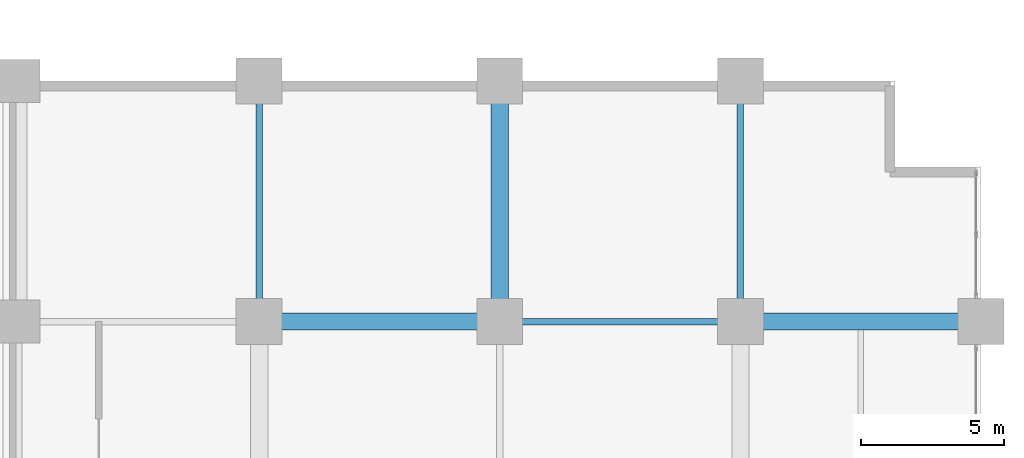
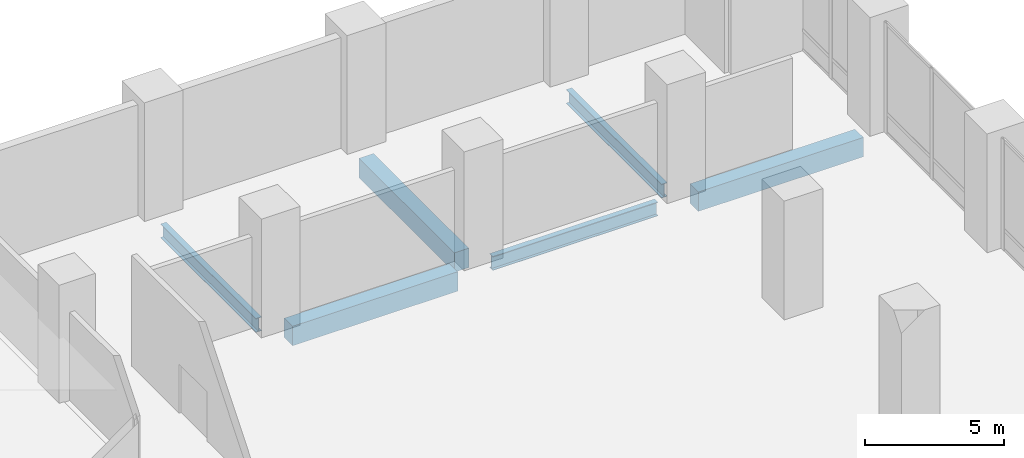
# One storey, part 6 of 19: 6 beams.
"""IFC4 building model written with IfcOpenShell, lengths in metres."""

from ifc_helpers import new_model, si_unit, direction, frame, origin, origin_2d, place, context, subcontext, project, spatial, rectangle, i_section, extrude, material, material_profile, profile_set, type_object, element, save


model = new_model("IFC4")

# Units and contexts
model_context = context("Model", 3, precision=1e-05, world=origin(), true_north=direction((0.0, 1.0)))
body_context = subcontext(model_context, "Body", "Model", "MODEL_VIEW")
ifc_project = project(units=[si_unit("LENGTHUNIT", "METRE"), si_unit("AREAUNIT", "SQUARE_METRE"), si_unit("VOLUMEUNIT", "CUBIC_METRE"), si_unit("PLANEANGLEUNIT", "RADIAN"), si_unit("MASSUNIT", "GRAM", prefix="KILO")], contexts=[model_context])

# Site, building, storey
site_placement = place(None, origin())
site = spatial("IfcSite", under=ifc_project, at=site_placement, CompositionType="ELEMENT")
building_placement = place(site_placement, origin())
building = spatial("IfcBuilding", under=site, at=building_placement, Name="Koriwani Terraces Tower", CompositionType="ELEMENT")
storey_placement = place(building_placement, frame((0.0, 0.0, 15.60009765625)))
storey = spatial("IfcBuildingStorey", under=building, at=storey_placement, Name="L03", CompositionType="ELEMENT", Elevation=15.60009765625)

# Beams
ifc_material_1 = material(Name="Concrete C60/75", Category="concrete")
ifc_material_profile_1 = material_profile(ifc_material_1, rectangle(XDim=0.60009765625, YDim=0.85009765625, at=origin_2d()), Name="Concrete C60/75", Category="LoadBearing")
ifc_profile_set_1 = profile_set([ifc_material_profile_1], Name="Concrete C60/75")
beam_type_1 = type_object("IfcBeamType", Name="BEAM_RC_GRID_600X850", PredefinedType="BEAM", material=ifc_profile_set_1)
for number, where, z_axis, x_axis, name in (
    (1, (67.97998046875, 33.60009765625, -0.775146484375), (1.0, 0.0, 0.0), (0.0, 1.0, 0.0), "L03 Grid Beam E (67.2-75.6m)"),
    (2, (84.780029296875, 33.60009765625, -0.775146484375), (1.0, 0.0, 0.0), (0.0, 1.0, 0.0), "L03 Grid Beam E (84.0-92.4m)"),
    (3, (75.60009765625, 34.3798828125, -0.775146484375), (0.0, 1.0, 0.0), (-1.0, 0.0, 0.0), "L03 Grid Beam 10 (33.6-42.0m)"),
):
    element("IfcBeam", number, at=place(storey_placement, frame(where, z_axis=z_axis, x_axis=x_axis)), inside=storey, type_object=beam_type_1, Name=name, PredefinedType="BEAM", context=body_context, shape_type="SweptSolid", body=[
        extrude(rectangle(XDim=0.60009765625, YDim=0.85009765625, at=origin_2d()), origin(), (0.0, 0.0, 1.0), 6.840087890625),
    ])
ifc_material_2 = material(Name="Steel ASTM A572 Grade 50", Category="steel")
ifc_material_profile_2 = material_profile(ifc_material_2, i_section(OverallWidth=0.22900390625, OverallDepth=0.611083984375, WebThickness=0.0126953125, FlangeThickness=0.022216796875, at=origin_2d()), Name="Steel ASTM A572 Grade 50", Category="LoadBearing")
ifc_profile_set_2 = profile_set([ifc_material_profile_2], Name="Steel ASTM A572 Grade 50")
beam_type_2 = type_object("IfcBeamType", Name="STEEL_BEAM_W610X155", PredefinedType="BEAM", material=ifc_profile_set_2)
for number, where, z_axis, x_axis, name in (
    (4, (76.3798828125, 33.60009765625, -0.655517578125), (1.0, 0.0, 0.0), (0.0, 1.0, 0.0), "L03 Grid Beam E (75.6-84.0m)"),
    (5, (67.199951171875, 34.3798828125, -0.655517578125), (0.0, 1.0, 0.0), (-1.0, 0.0, 0.0), "L03 Grid Beam 9 (33.6-42.0m)"),
    (6, (84.0, 34.3798828125, -0.655517578125), (0.0, 1.0, 0.0), (-1.0, 0.0, 0.0), "L03 Grid Beam 11 (33.6-42.0m)"),
):
    element("IfcBeam", number, at=place(storey_placement, frame(where, z_axis=z_axis, x_axis=x_axis)), inside=storey, type_object=beam_type_2, Name=name, PredefinedType="BEAM", context=body_context, shape_type="SweptSolid", body=[
        extrude(i_section(OverallWidth=0.22900390625, OverallDepth=0.611083984375, WebThickness=0.0126953125, FlangeThickness=0.022216796875, at=origin_2d()), origin(), (0.0, 0.0, 1.0), 6.840087890625),
    ])

save(model, "model.ifc")
